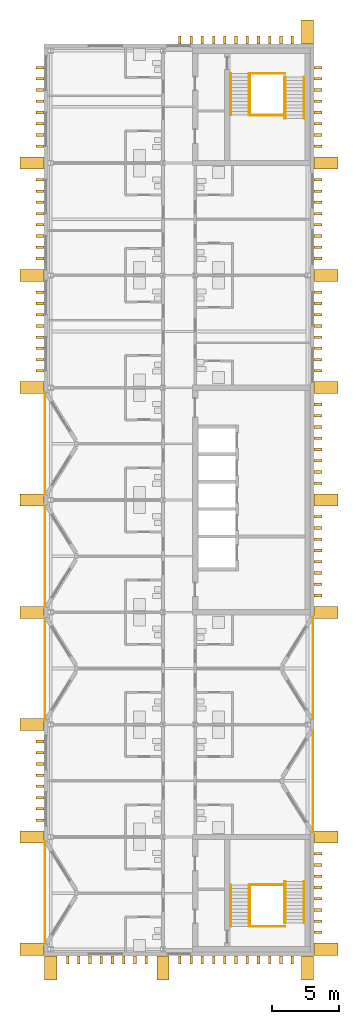
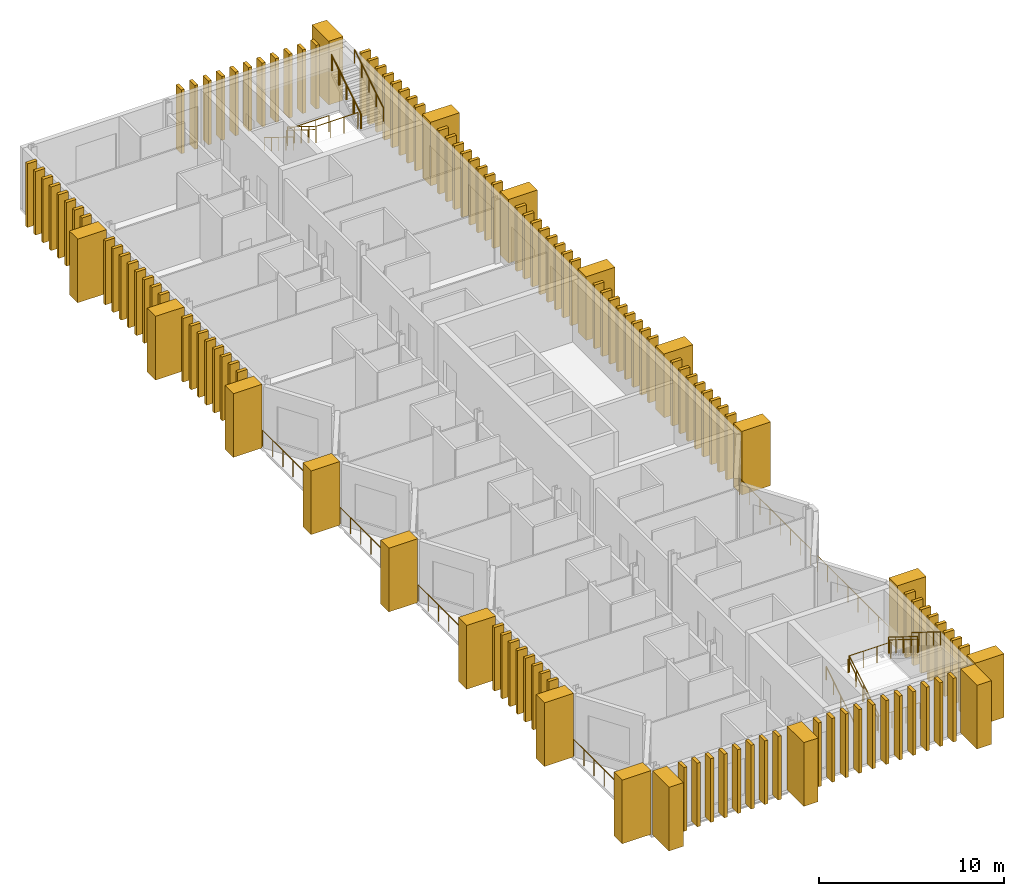
# One storey, part 10 of 11: 129 coverings, 22 railings.
"""IFC4 building model written with IfcOpenShell, lengths in metres."""

import ifcopenshell
import ifcopenshell.guid

model = None  # the IFC model being written
_history = None  # IfcOwnerHistory: only IFC2X3 demands one
_inside = {}  # id of a spatial element -> (the spatial element, [elements in it])
_under = {}  # id of a project, library or spatial element -> (it, [spatial elements below it])
_declared = {}  # id of a project -> (the project, [libraries it declares])
_typed = {}  # id of a type object -> (the type object, [elements of that type])
_made_of = {}  # id of a material, layer set ... -> (it, [elements and type objects made of it])


def new_model(schema):
    """Start an empty IFC model of exactly this schema.

    Asked for "IFC4X3", IfcOpenShell would pick the latest addendum, in which some entities
    have other attributes; the version numbers below select the first issue.
    IFC2X3 requires an IfcOwnerHistory on every rooted entity: one is made here for all.
    """
    global model, _history
    if schema == "IFC4X3":
        model = ifcopenshell.file(schema_version=(4, 3, 0, 0))
    else:
        model = ifcopenshell.file(schema=schema)
    _inside.clear()
    _under.clear()
    _declared.clear()
    _typed.clear()
    _made_of.clear()
    _history = None
    if model.schema == "IFC2X3":
        org = make("IfcOrganization", Name="unknown")
        user = make(
            "IfcPersonAndOrganization",
            ThePerson=make("IfcPerson", FamilyName="unknown"),
            TheOrganization=org,
        )
        app = make(
            "IfcApplication",
            ApplicationDeveloper=org,
            Version="unknown",
            ApplicationFullName="unknown",
            ApplicationIdentifier="unknown",
        )
        _history = make(
            "IfcOwnerHistory",
            OwningUser=user,
            OwningApplication=app,
            ChangeAction="ADDED",
            CreationDate=0,
        )
    return model


def make(cls, **values):
    """One entity of the class cls with the attributes given. An attribute that is None is left unset."""
    return model.create_entity(
        cls, **{name: value for name, value in values.items() if value is not None}
    )


def rooted(cls, **values):
    """An entity with a GlobalId (a new one), such as an element, a storey or a relation."""
    return make(cls, GlobalId=ifcopenshell.guid.new(), OwnerHistory=_history, **values)


def si_unit(unit_type, name, prefix=None):
    """IfcSIUnit, for example si_unit("LENGTHUNIT", "METRE", prefix="MILLI")."""
    return make("IfcSIUnit", UnitType=unit_type, Prefix=prefix, Name=name)


def assignment(units):
    """IfcUnitAssignment: the units of a project."""
    return None if units is None else make("IfcUnitAssignment", Units=units)


def point(xyz):
    """IfcCartesianPoint."""
    return None if xyz is None else make("IfcCartesianPoint", Coordinates=xyz)


def direction(xyz):
    """IfcDirection."""
    return None if xyz is None else make("IfcDirection", DirectionRatios=xyz)


def frame(location, z_axis=None, x_axis=None):
    """IfcAxis2Placement3D, a coordinate frame: its origin and axes. An axis left out is left unset."""
    return make(
        "IfcAxis2Placement3D",
        Location=point(location),
        Axis=direction(z_axis),
        RefDirection=direction(x_axis),
    )


def frame_2d(location, x_axis=None):
    """IfcAxis2Placement2D, a coordinate frame in the plane: its origin and x axis."""
    return make(
        "IfcAxis2Placement2D", Location=point(location), RefDirection=direction(x_axis)
    )


def origin():
    """The frame at (0, 0, 0) with its axes left unset."""
    return frame((0.0, 0.0, 0.0))


def origin_2d():
    """The frame at (0, 0) in the plane with its x axis left unset."""
    return frame_2d((0.0, 0.0))


def place(relative_to, where):
    """IfcLocalPlacement: puts the frame where relative to a parent placement (None: the world)."""
    return make(
        "IfcLocalPlacement", PlacementRelTo=relative_to, RelativePlacement=where
    )


def context(
    kind, dimensions, precision=None, world=None, true_north=None, identifier=None
):
    """IfcGeometricRepresentationContext, for example the 3D "Model" context."""
    return make(
        "IfcGeometricRepresentationContext",
        ContextIdentifier=identifier,
        ContextType=kind,
        CoordinateSpaceDimension=dimensions,
        Precision=precision,
        WorldCoordinateSystem=world,
        TrueNorth=true_north,
    )


def subcontext(parent, identifier, kind, view, scale=None):
    """IfcGeometricRepresentationSubContext, for example "Body" below "Model"."""
    return make(
        "IfcGeometricRepresentationSubContext",
        ContextIdentifier=identifier,
        ContextType=kind,
        ParentContext=parent,
        TargetScale=scale,
        TargetView=view,
    )


def project(units=None, contexts=None):
    """IfcProject with its units and contexts."""
    return rooted(
        "IfcProject",
        Name="project",
        RepresentationContexts=contexts,
        UnitsInContext=assignment(units),
    )


def spatial(cls, under=None, at=None, **own):
    """A site, building, storey or space (cls), placed at a placement, below another one or the project."""
    s = rooted(cls, ObjectPlacement=at, **own)
    if under is not None:
        _under.setdefault(under.id(), (under, []))[1].append(s)
    return s


def profile(cls, at=None, kind="AREA", **sizes):
    """A parametric profile (cls). Its sizes go by their IFC names, for example OverallWidth=200.0."""
    return make(cls, ProfileType=kind, Position=at, **sizes)


def rectangle(**sizes):
    """IfcRectangleProfileDef."""
    return profile("IfcRectangleProfileDef", **sizes)


def circle(**sizes):
    """IfcCircleProfileDef."""
    return profile("IfcCircleProfileDef", **sizes)


def extrude(swept, where, along, depth):
    """IfcExtrudedAreaSolid: the profile swept, set in the frame where, extruded along a direction by depth."""
    return make(
        "IfcExtrudedAreaSolid",
        SweptArea=swept,
        Position=where,
        ExtrudedDirection=direction(along),
        Depth=depth,
    )


def shape(context_of_items, identifier, shape_type, items):
    """IfcShapeRepresentation: the items that make up one representation, for example the "Body"."""
    return make(
        "IfcShapeRepresentation",
        ContextOfItems=context_of_items,
        RepresentationIdentifier=identifier,
        RepresentationType=shape_type,
        Items=items,
    )


def material(Name=None, Category=None):
    """IfcMaterial."""
    return make("IfcMaterial", Name=Name, Category=Category)


def made_of(thing, what):
    """Note that an element or type object is made of a material, layer set ...; save() writes the relation."""
    if what is not None:
        _made_of.setdefault(what.id(), (what, []))[1].append(thing)
    return thing


def type_object(cls, material=None, **own):
    """A type object (cls), such as IfcWallType, which elements share."""
    return made_of(rooted(cls, **own), material)


def element(
    cls,
    number,
    at=None,
    inside=None,
    cuts=None,
    type_object=None,
    material=None,
    context=None,
    identifier="Body",
    shape_type=None,
    held_by="IfcProductDefinitionShape",
    body=None,
    shapes=None,
    **own,
):
    """One element of the class cls, such as IfcWall. Its Tag is "e" and its number.

    at: its placement. inside: the storey or other place that contains it. cuts: it is an
    opening in that element (IfcRelVoidsElement). A single representation is given by context,
    identifier, shape_type and body (its items); several are given by shapes. held_by: the class
    of the entity that holds the representations. save() writes the other relations.
    """
    e = rooted(cls, Tag="e%d" % number, ObjectPlacement=at, **own)
    if body is not None:
        shapes = [shape(context, identifier, shape_type, body)]
    if shapes is not None:
        e.Representation = make(held_by, Representations=shapes)
    if inside is not None:
        _inside.setdefault(inside.id(), (inside, []))[1].append(e)
    if cuts is not None:
        rooted(
            "IfcRelVoidsElement", RelatingBuildingElement=cuts, RelatedOpeningElement=e
        )
    if type_object is not None:
        _typed.setdefault(type_object.id(), (type_object, []))[1].append(e)
    return made_of(e, material)


def aggregate(whole, parts):
    """IfcRelAggregates: a whole, such as a stair, and the parts it consists of."""
    return rooted("IfcRelAggregates", RelatingObject=whole, RelatedObjects=parts)


def save(model, path):
    """Write the relations noted so far, then the file.

    IfcRelAggregates (storeys below a building ...), IfcRelContainedInSpatialStructure (elements
    in a storey), IfcRelDefinesByType, IfcRelAssociatesMaterial and IfcRelDeclares: one each for
    every whole, place, type object, material and project.
    """
    for whole, parts in _under.values():
        aggregate(whole, parts)
    for where, things in _inside.values():
        rooted(
            "IfcRelContainedInSpatialStructure",
            RelatedElements=things,
            RelatingStructure=where,
        )
    for kind, things in _typed.values():
        rooted("IfcRelDefinesByType", RelatedObjects=things, RelatingType=kind)
    for what, things in _made_of.values():
        rooted("IfcRelAssociatesMaterial", RelatedObjects=things, RelatingMaterial=what)
    for by, libraries in _declared.values():
        rooted("IfcRelDeclares", RelatingContext=by, RelatedDefinitions=libraries)
    model.write(path)


model = new_model("IFC4")

# Units and contexts
model_context = context("Model", 3, precision=1e-05, world=origin(), true_north=direction((0.0, 1.0)))
body_context = subcontext(model_context, "Body", "Model", "MODEL_VIEW")
ifc_project = project(units=[si_unit("LENGTHUNIT", "METRE"), si_unit("AREAUNIT", "SQUARE_METRE"), si_unit("VOLUMEUNIT", "CUBIC_METRE"), si_unit("PLANEANGLEUNIT", "RADIAN"), si_unit("MASSUNIT", "GRAM", prefix="KILO")], contexts=[model_context])

# Site, building, storey
site_placement = place(None, origin())
site = spatial("IfcSite", under=ifc_project, at=site_placement, CompositionType="ELEMENT")
building_placement = place(site_placement, origin())
building = spatial("IfcBuilding", under=site, at=building_placement, Name="Cresset Court Congress Hotel", CompositionType="ELEMENT")
storey_placement = place(building_placement, frame((0.0, 0.0, 48.0)))
storey = spatial("IfcBuildingStorey", under=building, at=storey_placement, Name="L11", CompositionType="ELEMENT", Elevation=48.0)

# Coverings
ifc_material_1 = material(Name="Precast concrete C50", Category="concrete")
covering_type_1 = type_object("IfcCoveringType", Name="Precast stone fin 200x600", PredefinedType="CLADDING", material=ifc_material_1)
for number, where, z_axis, x_axis, name in (
    (1, (177.199951171875, 1.260009765625, 0.0), (0.0, 0.0, 1.0), (1.0, 0.0, 0.0), "Fin E002"),
    (2, (177.199951171875, 2.10009765625, 0.0), (0.0, 0.0, 1.0), (1.0, 0.0, 0.0), "Fin E003"),
    (3, (177.199951171875, 2.93994140625, 0.0), (0.0, 0.0, 1.0), (1.0, 0.0, 0.0), "Fin E004"),
    (4, (177.199951171875, 3.780029296875, 0.0), (0.0, 0.0, 1.0), (1.0, 0.0, 0.0), "Fin E005"),
    (5, (177.199951171875, 4.6201171875, 0.0), (0.0, 0.0, 1.0), (1.0, 0.0, 0.0), "Fin E006"),
    (6, (177.199951171875, 5.4599609375, 0.0), (0.0, 0.0, 1.0), (1.0, 0.0, 0.0), "Fin E007"),
    (7, (177.199951171875, 6.300048828125, 0.0), (0.0, 0.0, 1.0), (1.0, 0.0, 0.0), "Fin E008"),
    (8, (177.199951171875, 7.139892578125, 0.0), (0.0, 0.0, 1.0), (1.0, 0.0, 0.0), "Fin E009"),
    (9, (177.199951171875, 26.4599609375, 0.0), (0.0, 0.0, 1.0), (1.0, 0.0, 0.0), "Fin E032"),
    (10, (177.199951171875, 27.300048828125, 0.0), (0.0, 0.0, 1.0), (1.0, 0.0, 0.0), "Fin E033"),
    (11, (177.199951171875, 28.139892578125, 0.0), (0.0, 0.0, 1.0), (1.0, 0.0, 0.0), "Fin E034"),
    (12, (177.199951171875, 28.97998046875, 0.0), (0.0, 0.0, 1.0), (1.0, 0.0, 0.0), "Fin E035"),
    (13, (177.199951171875, 29.820068359375, 0.0), (0.0, 0.0, 1.0), (1.0, 0.0, 0.0), "Fin E036"),
    (14, (177.199951171875, 30.659912109375, 0.0), (0.0, 0.0, 1.0), (1.0, 0.0, 0.0), "Fin E037"),
    (15, (177.199951171875, 31.5, 0.0), (0.0, 0.0, 1.0), (1.0, 0.0, 0.0), "Fin E038"),
    (16, (177.199951171875, 32.340087890625, 0.0), (0.0, 0.0, 1.0), (1.0, 0.0, 0.0), "Fin E039"),
    (17, (177.199951171875, 34.860107421875, 0.0), (0.0, 0.0, 1.0), (1.0, 0.0, 0.0), "Fin E042"),
    (18, (177.199951171875, 35.699951171875, 0.0), (0.0, 0.0, 1.0), (1.0, 0.0, 0.0), "Fin E043"),
    (19, (177.199951171875, 36.5400390625, 0.0), (0.0, 0.0, 1.0), (1.0, 0.0, 0.0), "Fin E044"),
    (20, (177.199951171875, 37.3798828125, 0.0), (0.0, 0.0, 1.0), (1.0, 0.0, 0.0), "Fin E045"),
    (21, (177.199951171875, 38.219970703125, 0.0), (0.0, 0.0, 1.0), (1.0, 0.0, 0.0), "Fin E046"),
    (22, (177.199951171875, 39.06005859375, 0.0), (0.0, 0.0, 1.0), (1.0, 0.0, 0.0), "Fin E047"),
    (23, (177.199951171875, 39.89990234375, 0.0), (0.0, 0.0, 1.0), (1.0, 0.0, 0.0), "Fin E048"),
    (24, (177.199951171875, 40.739990234375, 0.0), (0.0, 0.0, 1.0), (1.0, 0.0, 0.0), "Fin E049"),
    (25, (177.199951171875, 43.260009765625, 0.0), (0.0, 0.0, 1.0), (1.0, 0.0, 0.0), "Fin E052"),
    (26, (177.199951171875, 44.10009765625, 0.0), (0.0, 0.0, 1.0), (1.0, 0.0, 0.0), "Fin E053"),
    (27, (177.199951171875, 44.93994140625, 0.0), (0.0, 0.0, 1.0), (1.0, 0.0, 0.0), "Fin E054"),
    (28, (177.199951171875, 45.780029296875, 0.0), (0.0, 0.0, 1.0), (1.0, 0.0, 0.0), "Fin E055"),
    (29, (177.199951171875, 46.6201171875, 0.0), (0.0, 0.0, 1.0), (1.0, 0.0, 0.0), "Fin E056"),
    (30, (177.199951171875, 47.4599609375, 0.0), (0.0, 0.0, 1.0), (1.0, 0.0, 0.0), "Fin E057"),
    (31, (177.199951171875, 48.300048828125, 0.0), (0.0, 0.0, 1.0), (1.0, 0.0, 0.0), "Fin E058"),
    (32, (177.199951171875, 49.139892578125, 0.0), (0.0, 0.0, 1.0), (1.0, 0.0, 0.0), "Fin E059"),
    (33, (177.199951171875, 51.659912109375, 0.0), (0.0, 0.0, 1.0), (1.0, 0.0, 0.0), "Fin E062"),
    (34, (177.199951171875, 52.5, 0.0), (0.0, 0.0, 1.0), (1.0, 0.0, 0.0), "Fin E063"),
    (35, (177.199951171875, 53.340087890625, 0.0), (0.0, 0.0, 1.0), (1.0, 0.0, 0.0), "Fin E064"),
    (36, (177.199951171875, 54.179931640625, 0.0), (0.0, 0.0, 1.0), (1.0, 0.0, 0.0), "Fin E065"),
    (37, (177.199951171875, 55.02001953125, 0.0), (0.0, 0.0, 1.0), (1.0, 0.0, 0.0), "Fin E066"),
    (38, (177.199951171875, 55.860107421875, 0.0), (0.0, 0.0, 1.0), (1.0, 0.0, 0.0), "Fin E067"),
    (39, (177.199951171875, 56.699951171875, 0.0), (0.0, 0.0, 1.0), (1.0, 0.0, 0.0), "Fin E068"),
    (40, (177.199951171875, 57.5400390625, 0.0), (0.0, 0.0, 1.0), (1.0, 0.0, 0.0), "Fin E069"),
    (41, (177.199951171875, 60.06005859375, 0.0), (0.0, 0.0, 1.0), (1.0, 0.0, 0.0), "Fin E072"),
    (42, (177.199951171875, 60.89990234375, 0.0), (0.0, 0.0, 1.0), (1.0, 0.0, 0.0), "Fin E073"),
    (43, (177.199951171875, 61.739990234375, 0.0), (0.0, 0.0, 1.0), (1.0, 0.0, 0.0), "Fin E074"),
    (44, (177.199951171875, 62.580078125, 0.0), (0.0, 0.0, 1.0), (1.0, 0.0, 0.0), "Fin E075"),
    (45, (177.199951171875, 63.419921875, 0.0), (0.0, 0.0, 1.0), (1.0, 0.0, 0.0), "Fin E076"),
    (46, (177.199951171875, 64.260009765625, 0.0), (0.0, 0.0, 1.0), (1.0, 0.0, 0.0), "Fin E077"),
    (47, (177.199951171875, 65.10009765625, 0.0), (0.0, 0.0, 1.0), (1.0, 0.0, 0.0), "Fin E078"),
    (48, (177.199951171875, 65.93994140625, 0.0), (0.0, 0.0, 1.0), (1.0, 0.0, 0.0), "Fin E079"),
    (49, (156.39990234375, 9.659912109375, 0.0), (0.0, 0.0, 1.0), (1.0, 0.0, 0.0), "Fin W012"),
    (50, (156.39990234375, 10.5, 0.0), (0.0, 0.0, 1.0), (1.0, 0.0, 0.0), "Fin W013"),
    (51, (156.39990234375, 11.340087890625, 0.0), (0.0, 0.0, 1.0), (1.0, 0.0, 0.0), "Fin W014"),
    (52, (156.39990234375, 12.179931640625, 0.0), (0.0, 0.0, 1.0), (1.0, 0.0, 0.0), "Fin W015"),
    (53, (156.39990234375, 13.02001953125, 0.0), (0.0, 0.0, 1.0), (1.0, 0.0, 0.0), "Fin W016"),
    (54, (156.39990234375, 13.860107421875, 0.0), (0.0, 0.0, 1.0), (1.0, 0.0, 0.0), "Fin W017"),
    (55, (156.39990234375, 14.699951171875, 0.0), (0.0, 0.0, 1.0), (1.0, 0.0, 0.0), "Fin W018"),
    (56, (156.39990234375, 15.5400390625, 0.0), (0.0, 0.0, 1.0), (1.0, 0.0, 0.0), "Fin W019"),
    (57, (156.39990234375, 43.260009765625, 0.0), (0.0, 0.0, 1.0), (1.0, 0.0, 0.0), "Fin W052"),
    (58, (156.39990234375, 44.10009765625, 0.0), (0.0, 0.0, 1.0), (1.0, 0.0, 0.0), "Fin W053"),
    (59, (156.39990234375, 44.93994140625, 0.0), (0.0, 0.0, 1.0), (1.0, 0.0, 0.0), "Fin W054"),
    (60, (156.39990234375, 45.780029296875, 0.0), (0.0, 0.0, 1.0), (1.0, 0.0, 0.0), "Fin W055"),
    (61, (156.39990234375, 46.6201171875, 0.0), (0.0, 0.0, 1.0), (1.0, 0.0, 0.0), "Fin W056"),
    (62, (156.39990234375, 47.4599609375, 0.0), (0.0, 0.0, 1.0), (1.0, 0.0, 0.0), "Fin W057"),
    (63, (156.39990234375, 48.300048828125, 0.0), (0.0, 0.0, 1.0), (1.0, 0.0, 0.0), "Fin W058"),
    (64, (156.39990234375, 49.139892578125, 0.0), (0.0, 0.0, 1.0), (1.0, 0.0, 0.0), "Fin W059"),
    (65, (156.39990234375, 51.659912109375, 0.0), (0.0, 0.0, 1.0), (1.0, 0.0, 0.0), "Fin W062"),
    (66, (156.39990234375, 52.5, 0.0), (0.0, 0.0, 1.0), (1.0, 0.0, 0.0), "Fin W063"),
    (67, (156.39990234375, 53.340087890625, 0.0), (0.0, 0.0, 1.0), (1.0, 0.0, 0.0), "Fin W064"),
    (68, (156.39990234375, 54.179931640625, 0.0), (0.0, 0.0, 1.0), (1.0, 0.0, 0.0), "Fin W065"),
    (69, (156.39990234375, 55.02001953125, 0.0), (0.0, 0.0, 1.0), (1.0, 0.0, 0.0), "Fin W066"),
    (70, (156.39990234375, 55.860107421875, 0.0), (0.0, 0.0, 1.0), (1.0, 0.0, 0.0), "Fin W067"),
    (71, (156.39990234375, 56.699951171875, 0.0), (0.0, 0.0, 1.0), (1.0, 0.0, 0.0), "Fin W068"),
    (72, (156.39990234375, 57.5400390625, 0.0), (0.0, 0.0, 1.0), (1.0, 0.0, 0.0), "Fin W069"),
    (73, (156.39990234375, 60.06005859375, 0.0), (0.0, 0.0, 1.0), (1.0, 0.0, 0.0), "Fin W072"),
    (74, (156.39990234375, 60.89990234375, 0.0), (0.0, 0.0, 1.0), (1.0, 0.0, 0.0), "Fin W073"),
    (75, (156.39990234375, 61.739990234375, 0.0), (0.0, 0.0, 1.0), (1.0, 0.0, 0.0), "Fin W074"),
    (76, (156.39990234375, 62.580078125, 0.0), (0.0, 0.0, 1.0), (1.0, 0.0, 0.0), "Fin W075"),
    (77, (156.39990234375, 63.419921875, 0.0), (0.0, 0.0, 1.0), (1.0, 0.0, 0.0), "Fin W076"),
    (78, (156.39990234375, 64.260009765625, 0.0), (0.0, 0.0, 1.0), (1.0, 0.0, 0.0), "Fin W077"),
    (79, (156.39990234375, 65.10009765625, 0.0), (0.0, 0.0, 1.0), (1.0, 0.0, 0.0), "Fin W078"),
    (80, (156.39990234375, 65.93994140625, 0.0), (0.0, 0.0, 1.0), (1.0, 0.0, 0.0), "Fin W079"),
):
    element("IfcCovering", number, at=place(storey_placement, frame(where, z_axis=z_axis, x_axis=x_axis)), inside=storey, type_object=covering_type_1, Name=name, PredefinedType="CLADDING", context=body_context, shape_type="SweptSolid", body=[
        extrude(rectangle(XDim=0.60009765625, YDim=0.199951171875, at=origin_2d()), origin(), (0.0, 0.0, 1.0), 4.199951171875),
    ])
for number, where, z_axis, x_axis, name in (
    (81, (158.4599609375, -0.800048828125, 0.0), (0.0, 0.0, 1.0), (1.0, 0.0, 0.0), "Fin S002"),
    (82, (159.300048828125, -0.800048828125, 0.0), (0.0, 0.0, 1.0), (1.0, 0.0, 0.0), "Fin S003"),
    (83, (160.139892578125, -0.800048828125, 0.0), (0.0, 0.0, 1.0), (1.0, 0.0, 0.0), "Fin S004"),
    (84, (160.97998046875, -0.800048828125, 0.0), (0.0, 0.0, 1.0), (1.0, 0.0, 0.0), "Fin S005"),
    (85, (161.820068359375, -0.800048828125, 0.0), (0.0, 0.0, 1.0), (1.0, 0.0, 0.0), "Fin S006"),
    (86, (162.659912109375, -0.800048828125, 0.0), (0.0, 0.0, 1.0), (1.0, 0.0, 0.0), "Fin S007"),
    (87, (163.5, -0.800048828125, 0.0), (0.0, 0.0, 1.0), (1.0, 0.0, 0.0), "Fin S008"),
    (88, (164.340087890625, -0.800048828125, 0.0), (0.0, 0.0, 1.0), (1.0, 0.0, 0.0), "Fin S009"),
    (89, (166.860107421875, -0.800048828125, 0.0), (0.0, 0.0, 1.0), (1.0, 0.0, 0.0), "Fin S012"),
    (90, (167.699951171875, -0.800048828125, 0.0), (0.0, 0.0, 1.0), (1.0, 0.0, 0.0), "Fin S013"),
    (91, (168.5400390625, -0.800048828125, 0.0), (0.0, 0.0, 1.0), (1.0, 0.0, 0.0), "Fin S014"),
    (92, (169.3798828125, -0.800048828125, 0.0), (0.0, 0.0, 1.0), (1.0, 0.0, 0.0), "Fin S015"),
    (93, (170.219970703125, -0.800048828125, 0.0), (0.0, 0.0, 1.0), (1.0, 0.0, 0.0), "Fin S016"),
    (94, (171.06005859375, -0.800048828125, 0.0), (0.0, 0.0, 1.0), (1.0, 0.0, 0.0), "Fin S017"),
    (95, (171.89990234375, -0.800048828125, 0.0), (0.0, 0.0, 1.0), (1.0, 0.0, 0.0), "Fin S018"),
    (96, (172.739990234375, -0.800048828125, 0.0), (0.0, 0.0, 1.0), (1.0, 0.0, 0.0), "Fin S019"),
    (97, (173.580078125, -0.800048828125, 0.0), (0.0, 0.0, 1.0), (1.0, 0.0, 0.0), "Fin S020"),
    (98, (174.419921875, -0.800048828125, 0.0), (0.0, 0.0, 1.0), (1.0, 0.0, 0.0), "Fin S021"),
    (99, (175.260009765625, -0.800048828125, 0.0), (0.0, 0.0, 1.0), (1.0, 0.0, 0.0), "Fin S022"),
    (100, (166.860107421875, 68.0, 0.0), (0.0, 0.0, 1.0), (1.0, 0.0, 0.0), "Fin N012"),
    (101, (167.699951171875, 68.0, 0.0), (0.0, 0.0, 1.0), (1.0, 0.0, 0.0), "Fin N013"),
    (102, (168.5400390625, 68.0, 0.0), (0.0, 0.0, 1.0), (1.0, 0.0, 0.0), "Fin N014"),
    (103, (169.3798828125, 68.0, 0.0), (0.0, 0.0, 1.0), (1.0, 0.0, 0.0), "Fin N015"),
    (104, (170.219970703125, 68.0, 0.0), (0.0, 0.0, 1.0), (1.0, 0.0, 0.0), "Fin N016"),
    (105, (171.06005859375, 68.0, 0.0), (0.0, 0.0, 1.0), (1.0, 0.0, 0.0), "Fin N017"),
    (106, (171.89990234375, 68.0, 0.0), (0.0, 0.0, 1.0), (1.0, 0.0, 0.0), "Fin N018"),
    (107, (172.739990234375, 68.0, 0.0), (0.0, 0.0, 1.0), (1.0, 0.0, 0.0), "Fin N019"),
    (108, (173.580078125, 68.0, 0.0), (0.0, 0.0, 1.0), (1.0, 0.0, 0.0), "Fin N020"),
    (109, (174.419921875, 68.0, 0.0), (0.0, 0.0, 1.0), (1.0, 0.0, 0.0), "Fin N021"),
    (110, (175.260009765625, 68.0, 0.0), (0.0, 0.0, 1.0), (1.0, 0.0, 0.0), "Fin N022"),
):
    element("IfcCovering", number, at=place(storey_placement, frame(where, z_axis=z_axis, x_axis=x_axis)), inside=storey, type_object=covering_type_1, Name=name, PredefinedType="CLADDING", context=body_context, shape_type="SweptSolid", body=[
        extrude(rectangle(XDim=0.199951171875, YDim=0.60009765625, at=origin_2d()), origin(), (0.0, 0.0, 1.0), 4.199951171875),
    ])
ifc_material_2 = material(Name="Precast concrete C50", Category="concrete")
covering_type_2 = type_object("IfcCoveringType", Name="Precast stone pier 900x1800", PredefinedType="CLADDING", material=ifc_material_2)
for number, where, z_axis, x_axis, name in (
    (111, (177.800048828125, 0.0, 0.0), (0.0, 0.0, 1.0), (1.0, 0.0, 0.0), "Pier E01"),
    (112, (177.800048828125, 8.39990234375, 0.0), (0.0, 0.0, 1.0), (1.0, 0.0, 0.0), "Pier E02"),
    (113, (177.800048828125, 25.199951171875, 0.0), (0.0, 0.0, 1.0), (1.0, 0.0, 0.0), "Pier E03"),
    (114, (177.800048828125, 33.60009765625, 0.0), (0.0, 0.0, 1.0), (1.0, 0.0, 0.0), "Pier E04"),
    (115, (177.800048828125, 42.0, 0.0), (0.0, 0.0, 1.0), (1.0, 0.0, 0.0), "Pier E05"),
    (116, (177.800048828125, 50.39990234375, 0.0), (0.0, 0.0, 1.0), (1.0, 0.0, 0.0), "Pier E06"),
    (117, (177.800048828125, 58.800048828125, 0.0), (0.0, 0.0, 1.0), (1.0, 0.0, 0.0), "Pier E07"),
    (118, (155.800048828125, 0.0, 0.0), (0.0, 0.0, 1.0), (1.0, 0.0, 0.0), "Pier W01"),
    (119, (155.800048828125, 8.39990234375, 0.0), (0.0, 0.0, 1.0), (1.0, 0.0, 0.0), "Pier W02"),
    (120, (155.800048828125, 16.800048828125, 0.0), (0.0, 0.0, 1.0), (1.0, 0.0, 0.0), "Pier W03"),
    (121, (155.800048828125, 25.199951171875, 0.0), (0.0, 0.0, 1.0), (1.0, 0.0, 0.0), "Pier W04"),
    (122, (155.800048828125, 33.60009765625, 0.0), (0.0, 0.0, 1.0), (1.0, 0.0, 0.0), "Pier W05"),
    (123, (155.800048828125, 42.0, 0.0), (0.0, 0.0, 1.0), (1.0, 0.0, 0.0), "Pier W06"),
    (124, (155.800048828125, 50.39990234375, 0.0), (0.0, 0.0, 1.0), (1.0, 0.0, 0.0), "Pier W07"),
    (125, (155.800048828125, 58.800048828125, 0.0), (0.0, 0.0, 1.0), (1.0, 0.0, 0.0), "Pier W08"),
):
    element("IfcCovering", number, at=place(storey_placement, frame(where, z_axis=z_axis, x_axis=x_axis)), inside=storey, type_object=covering_type_2, Name=name, PredefinedType="CLADDING", context=body_context, shape_type="SweptSolid", body=[
        extrude(rectangle(XDim=1.800048828125, YDim=0.89990234375, at=origin_2d()), origin(), (0.0, 0.0, 1.0), 4.199951171875),
    ])
for number, where, z_axis, x_axis, name in (
    (126, (157.199951171875, -1.39990234375, 0.0), (0.0, 0.0, 1.0), (1.0, 0.0, 0.0), "Pier S01"),
    (127, (165.60009765625, -1.39990234375, 0.0), (0.0, 0.0, 1.0), (1.0, 0.0, 0.0), "Pier S02"),
    (128, (176.39990234375, -1.39990234375, 0.0), (0.0, 0.0, 1.0), (1.0, 0.0, 0.0), "Pier S03"),
    (129, (176.39990234375, 68.60009765625, 0.0), (0.0, 0.0, 1.0), (1.0, 0.0, 0.0), "Pier N03"),
):
    element("IfcCovering", number, at=place(storey_placement, frame(where, z_axis=z_axis, x_axis=x_axis)), inside=storey, type_object=covering_type_2, Name=name, PredefinedType="CLADDING", context=body_context, shape_type="SweptSolid", body=[
        extrude(rectangle(XDim=0.89990234375, YDim=1.800048828125, at=origin_2d()), origin(), (0.0, 0.0, 1.0), 4.199951171875),
    ])

# Railings
ifc_material_3 = material(Name="Stainless steel", Category="steel")
railing_type_1 = type_object("IfcRailingType", Name="Slot ledge guard 1100", PredefinedType="GUARDRAIL", material=ifc_material_3)
railing_1_placement = place(storey_placement, frame((156.780029296875, 0.35009765625, 0.0)))
element("IfcRailing", 130, at=railing_1_placement, inside=storey, type_object=railing_type_1, Name="Slot guard W1 L11", PredefinedType="GUARDRAIL", context=body_context, shape_type="SweptSolid", body=[
    extrude(circle(Radius=0.02392578125, at=origin_2d()), frame((0.0, 0.0, 1.076171875), z_axis=(0.0, 1.0, 0.0), x_axis=(-1.0, 0.0, 0.0)), (0.0, 0.0, 1.0), 7.699951171875),
    extrude(circle(Radius=0.02099609375, at=origin_2d()), origin(), (0.0, 0.0, 1.0), 1.052001953125),
    extrude(circle(Radius=0.02099609375, at=origin_2d()), frame((0.0, 1.10009765625, 0.0)), (0.0, 0.0, 1.0), 1.052001953125),
    extrude(circle(Radius=0.02099609375, at=origin_2d()), frame((0.0, 2.199951171875, 0.0)), (0.0, 0.0, 1.0), 1.052001953125),
    extrude(circle(Radius=0.02099609375, at=origin_2d()), frame((0.0, 3.300048828125, 0.0)), (0.0, 0.0, 1.0), 1.052001953125),
    extrude(circle(Radius=0.02099609375, at=origin_2d()), frame((0.0, 4.39990234375, 0.0)), (0.0, 0.0, 1.0), 1.052001953125),
    extrude(circle(Radius=0.02099609375, at=origin_2d()), frame((0.0, 5.5, 0.0)), (0.0, 0.0, 1.0), 1.052001953125),
    extrude(circle(Radius=0.02099609375, at=origin_2d()), frame((0.0, 6.599853515625, 0.0)), (0.0, 0.0, 1.0), 1.052001953125),
    extrude(circle(Radius=0.02099609375, at=origin_2d()), frame((0.0, 7.699951171875, 0.0)), (0.0, 0.0, 1.0), 1.052001953125),
])
railing_2_placement = place(storey_placement, frame((156.780029296875, 17.14990234375, 0.0)))
element("IfcRailing", 131, at=railing_2_placement, inside=storey, type_object=railing_type_1, Name="Slot guard W3 L11", PredefinedType="GUARDRAIL", context=body_context, shape_type="SweptSolid", body=[
    extrude(circle(Radius=0.02392578125, at=origin_2d()), frame((0.0, 0.0, 1.076171875), z_axis=(0.0, 1.0, 0.0), x_axis=(-1.0, 0.0, 0.0)), (0.0, 0.0, 1.0), 7.7001953125),
    extrude(circle(Radius=0.02099609375, at=origin_2d()), origin(), (0.0, 0.0, 1.0), 1.052001953125),
    extrude(circle(Radius=0.02099609375, at=origin_2d()), frame((0.0, 1.10009765625, 0.0)), (0.0, 0.0, 1.0), 1.052001953125),
    extrude(circle(Radius=0.02099609375, at=origin_2d()), frame((0.0, 2.199951171875, 0.0)), (0.0, 0.0, 1.0), 1.052001953125),
    extrude(circle(Radius=0.02099609375, at=origin_2d()), frame((0.0, 3.300048828125, 0.0)), (0.0, 0.0, 1.0), 1.052001953125),
    extrude(circle(Radius=0.02099609375, at=origin_2d()), frame((0.0, 4.400146484375, 0.0)), (0.0, 0.0, 1.0), 1.052001953125),
    extrude(circle(Radius=0.02099609375, at=origin_2d()), frame((0.0, 5.500244140625, 0.0)), (0.0, 0.0, 1.0), 1.052001953125),
    extrude(circle(Radius=0.02099609375, at=origin_2d()), frame((0.0, 6.60009765625, 0.0)), (0.0, 0.0, 1.0), 1.052001953125),
    extrude(circle(Radius=0.02099609375, at=origin_2d()), frame((0.0, 7.7001953125, 0.0)), (0.0, 0.0, 1.0), 1.052001953125),
])
for number, where, name in (
    (132, (156.780029296875, 25.550048828125, 0.0), "Slot guard W4 L11"),
    (133, (156.780029296875, 33.949951171875, 0.0), "Slot guard W5 L11"),
    (134, (176.820068359375, 8.75, 0.0), "Slot guard E2 L11"),
):
    element("IfcRailing", number, at=place(storey_placement, frame(where)), inside=storey, type_object=railing_type_1, Name=name, PredefinedType="GUARDRAIL", context=body_context, shape_type="SweptSolid", body=[
        extrude(circle(Radius=0.02392578125, at=origin_2d()), frame((0.0, 0.0, 1.076171875), z_axis=(0.0, 1.0, 0.0), x_axis=(-1.0, 0.0, 0.0)), (0.0, 0.0, 1.0), 7.699951171875),
        extrude(circle(Radius=0.02099609375, at=origin_2d()), origin(), (0.0, 0.0, 1.0), 1.052001953125),
        extrude(circle(Radius=0.02099609375, at=origin_2d()), frame((0.0, 1.10009765625, 0.0)), (0.0, 0.0, 1.0), 1.052001953125),
        extrude(circle(Radius=0.02099609375, at=origin_2d()), frame((0.0, 2.199951171875, 0.0)), (0.0, 0.0, 1.0), 1.052001953125),
        extrude(circle(Radius=0.02099609375, at=origin_2d()), frame((0.0, 3.300048828125, 0.0)), (0.0, 0.0, 1.0), 1.052001953125),
        extrude(circle(Radius=0.02099609375, at=origin_2d()), frame((0.0, 4.39990234375, 0.0)), (0.0, 0.0, 1.0), 1.052001953125),
        extrude(circle(Radius=0.02099609375, at=origin_2d()), frame((0.0, 5.5, 0.0)), (0.0, 0.0, 1.0), 1.052001953125),
        extrude(circle(Radius=0.02099609375, at=origin_2d()), frame((0.0, 6.599853515625, 0.0)), (0.0, 0.0, 1.0), 1.052001953125),
        extrude(circle(Radius=0.02099609375, at=origin_2d()), frame((0.0, 7.699951171875, 0.0)), (0.0, 0.0, 1.0), 1.052001953125),
    ])
railing_3_placement = place(storey_placement, frame((176.820068359375, 17.14990234375, 0.0)))
element("IfcRailing", 135, at=railing_3_placement, inside=storey, type_object=railing_type_1, Name="Slot guard E3 L11", PredefinedType="GUARDRAIL", context=body_context, shape_type="SweptSolid", body=[
    extrude(circle(Radius=0.02392578125, at=origin_2d()), frame((0.0, 0.0, 1.076171875), z_axis=(0.0, 1.0, 0.0), x_axis=(-1.0, 0.0, 0.0)), (0.0, 0.0, 1.0), 7.7001953125),
    extrude(circle(Radius=0.02099609375, at=origin_2d()), origin(), (0.0, 0.0, 1.0), 1.052001953125),
    extrude(circle(Radius=0.02099609375, at=origin_2d()), frame((0.0, 1.10009765625, 0.0)), (0.0, 0.0, 1.0), 1.052001953125),
    extrude(circle(Radius=0.02099609375, at=origin_2d()), frame((0.0, 2.199951171875, 0.0)), (0.0, 0.0, 1.0), 1.052001953125),
    extrude(circle(Radius=0.02099609375, at=origin_2d()), frame((0.0, 3.300048828125, 0.0)), (0.0, 0.0, 1.0), 1.052001953125),
    extrude(circle(Radius=0.02099609375, at=origin_2d()), frame((0.0, 4.400146484375, 0.0)), (0.0, 0.0, 1.0), 1.052001953125),
    extrude(circle(Radius=0.02099609375, at=origin_2d()), frame((0.0, 5.500244140625, 0.0)), (0.0, 0.0, 1.0), 1.052001953125),
    extrude(circle(Radius=0.02099609375, at=origin_2d()), frame((0.0, 6.60009765625, 0.0)), (0.0, 0.0, 1.0), 1.052001953125),
    extrude(circle(Radius=0.02099609375, at=origin_2d()), frame((0.0, 7.7001953125, 0.0)), (0.0, 0.0, 1.0), 1.052001953125),
])
ifc_material_4 = material(Name="Stainless steel", Category="steel")
railing_type_2 = type_object("IfcRailingType", Name="Stair guard 1100", PredefinedType="GUARDRAIL", material=ifc_material_4)
railing_4_placement = place(storey_placement, frame((172.10009765625, 1.699951171875, 0.16162109375)))
element("IfcRailing", 136, at=railing_4_placement, inside=storey, type_object=railing_type_2, Name="Guard A1 L11", PredefinedType="GUARDRAIL", context=body_context, shape_type="SweptSolid", body=[
    extrude(circle(Radius=0.02392578125, at=origin_2d()), frame((0.0, 0.0, 1.076171875), z_axis=(0.0, 0.849414166554, 0.527726798313), x_axis=(-1.0, 0.0, 0.0)), (0.0, 0.0, 1.0), 3.67333984375),
    extrude(circle(Radius=0.02099609375, at=origin_2d()), origin(), (0.0, 0.0, 1.0), 1.052001953125),
    extrude(circle(Radius=0.02099609375, at=origin_2d()), frame((0.0, 0.780029296875, 0.484619140625)), (0.0, 0.0, 1.0), 1.052001953125),
    extrude(circle(Radius=0.02099609375, at=origin_2d()), frame((0.0, 1.56005859375, 0.96923828125)), (0.0, 0.0, 1.0), 1.052001953125),
    extrude(circle(Radius=0.02099609375, at=origin_2d()), frame((0.0, 2.340087890625, 1.453857421875)), (0.0, 0.0, 1.0), 1.052001953125),
    extrude(circle(Radius=0.02099609375, at=origin_2d()), frame((0.0, 3.1201171875, 1.9384765625)), (0.0, 0.0, 1.0), 1.052001953125),
])
railing_5_placement = place(storey_placement, frame((174.699951171875, 5.080078125, 2.261474609375)))
element("IfcRailing", 137, at=railing_5_placement, inside=storey, type_object=railing_type_2, Name="Guard A1 L11", PredefinedType="GUARDRAIL", context=body_context, shape_type="SweptSolid", body=[
    extrude(circle(Radius=0.02392578125, at=origin_2d()), frame((0.0, 0.0, 1.076171875), z_axis=(0.0, -0.849414166554, 0.527726798313), x_axis=(1.0, 0.0, 0.0)), (0.0, 0.0, 1.0), 3.67333984375),
    extrude(circle(Radius=0.02099609375, at=origin_2d()), origin(), (0.0, 0.0, 1.0), 1.052001953125),
    extrude(circle(Radius=0.02099609375, at=origin_2d()), frame((0.0, -0.780029296875, 0.484619140625)), (0.0, 0.0, 1.0), 1.052001953125),
    extrude(circle(Radius=0.02099609375, at=origin_2d()), frame((0.0, -1.56005859375, 0.96923828125)), (0.0, 0.0, 1.0), 1.052001953125),
    extrude(circle(Radius=0.02099609375, at=origin_2d()), frame((0.0, -2.340087890625, 1.453857421875)), (0.0, 0.0, 1.0), 1.052001953125),
    extrude(circle(Radius=0.02099609375, at=origin_2d()), frame((0.0, -3.1201171875, 1.9384765625)), (0.0, 0.0, 1.0), 1.052001953125),
])
for number, where, name in (
    (138, (172.10009765625, 1.699951171875, 0.0), "Guard A1 L11"),
    (139, (172.10009765625, 4.820068359375, 2.10009765625), "Guard A1 L11"),
):
    element("IfcRailing", number, at=place(storey_placement, frame(where)), inside=storey, type_object=railing_type_2, Name=name, PredefinedType="GUARDRAIL", context=body_context, shape_type="SweptSolid", body=[
        extrude(circle(Radius=0.02392578125, at=origin_2d()), frame((0.0, 0.0, 1.076171875), z_axis=(1.0, 0.0, 0.0), x_axis=(0.0, 1.0, 0.0)), (0.0, 0.0, 1.0), 2.599853515625),
        extrude(circle(Radius=0.02099609375, at=origin_2d()), origin(), (0.0, 0.0, 1.0), 1.052001953125),
        extrude(circle(Radius=0.02099609375, at=origin_2d()), frame((0.86669921875, 0.0, 0.0)), (0.0, 0.0, 1.0), 1.052001953125),
        extrude(circle(Radius=0.02099609375, at=origin_2d()), frame((1.733154296875, 0.0, 0.0)), (0.0, 0.0, 1.0), 1.052001953125),
        extrude(circle(Radius=0.02099609375, at=origin_2d()), frame((2.599853515625, 0.0, 0.0)), (0.0, 0.0, 1.0), 1.052001953125),
    ])
railing_6_placement = place(storey_placement, frame((172.10009765625, 65.5, 0.16162109375)))
element("IfcRailing", 140, at=railing_6_placement, inside=storey, type_object=railing_type_2, Name="Guard A2 L11", PredefinedType="GUARDRAIL", context=body_context, shape_type="SweptSolid", body=[
    extrude(circle(Radius=0.02392578125, at=origin_2d()), frame((0.0, 0.0, 1.076171875), z_axis=(0.0, -0.849414166554, 0.527726798313), x_axis=(1.0, 0.0, 0.0)), (0.0, 0.0, 1.0), 3.67333984375),
    extrude(circle(Radius=0.02099609375, at=origin_2d()), origin(), (0.0, 0.0, 1.0), 1.052001953125),
    extrude(circle(Radius=0.02099609375, at=origin_2d()), frame((0.0, -0.780029296875, 0.484619140625)), (0.0, 0.0, 1.0), 1.052001953125),
    extrude(circle(Radius=0.02099609375, at=origin_2d()), frame((0.0, -1.56005859375, 0.96923828125)), (0.0, 0.0, 1.0), 1.052001953125),
    extrude(circle(Radius=0.02099609375, at=origin_2d()), frame((0.0, -2.340087890625, 1.453857421875)), (0.0, 0.0, 1.0), 1.052001953125),
    extrude(circle(Radius=0.02099609375, at=origin_2d()), frame((0.0, -3.1201171875, 1.9384765625)), (0.0, 0.0, 1.0), 1.052001953125),
])
railing_7_placement = place(storey_placement, frame((174.699951171875, 62.1201171875, 2.261474609375)))
element("IfcRailing", 141, at=railing_7_placement, inside=storey, type_object=railing_type_2, Name="Guard A2 L11", PredefinedType="GUARDRAIL", context=body_context, shape_type="SweptSolid", body=[
    extrude(circle(Radius=0.02392578125, at=origin_2d()), frame((0.0, 0.0, 1.076171875), z_axis=(0.0, 0.849395654964, 0.52775659288), x_axis=(-1.0, 0.0, 0.0)), (0.0, 0.0, 1.0), 3.673095703125),
    extrude(circle(Radius=0.02099609375, at=origin_2d()), origin(), (0.0, 0.0, 1.0), 1.052001953125),
    extrude(circle(Radius=0.02099609375, at=origin_2d()), frame((0.0, 0.780029296875, 0.484619140625)), (0.0, 0.0, 1.0), 1.052001953125),
    extrude(circle(Radius=0.02099609375, at=origin_2d()), frame((0.0, 1.56005859375, 0.96923828125)), (0.0, 0.0, 1.0), 1.052001953125),
    extrude(circle(Radius=0.02099609375, at=origin_2d()), frame((0.0, 2.33984375, 1.453857421875)), (0.0, 0.0, 1.0), 1.052001953125),
    extrude(circle(Radius=0.02099609375, at=origin_2d()), frame((0.0, 3.119873046875, 1.9384765625)), (0.0, 0.0, 1.0), 1.052001953125),
])
for number, where, name in (
    (142, (172.10009765625, 65.5, 0.0), "Guard A2 L11"),
    (143, (172.10009765625, 62.3798828125, 2.10009765625), "Guard A2 L11"),
):
    element("IfcRailing", number, at=place(storey_placement, frame(where)), inside=storey, type_object=railing_type_2, Name=name, PredefinedType="GUARDRAIL", context=body_context, shape_type="SweptSolid", body=[
        extrude(circle(Radius=0.02392578125, at=origin_2d()), frame((0.0, 0.0, 1.076171875), z_axis=(1.0, 0.0, 0.0), x_axis=(0.0, 1.0, 0.0)), (0.0, 0.0, 1.0), 2.599853515625),
        extrude(circle(Radius=0.02099609375, at=origin_2d()), origin(), (0.0, 0.0, 1.0), 1.052001953125),
        extrude(circle(Radius=0.02099609375, at=origin_2d()), frame((0.86669921875, 0.0, 0.0)), (0.0, 0.0, 1.0), 1.052001953125),
        extrude(circle(Radius=0.02099609375, at=origin_2d()), frame((1.733154296875, 0.0, 0.0)), (0.0, 0.0, 1.0), 1.052001953125),
        extrude(circle(Radius=0.02099609375, at=origin_2d()), frame((2.599853515625, 0.0, 0.0)), (0.0, 0.0, 1.0), 1.052001953125),
    ])
ifc_material_5 = material(Name="Stainless steel", Category="steel")
railing_type_3 = type_object("IfcRailingType", Name="Stair handrail 900", PredefinedType="HANDRAIL", material=ifc_material_5)
for number, where, name in (
    (144, (170.659912109375, 1.699951171875, 0.16162109375), "Handrail A1 L11"),
    (145, (172.0400390625, 1.699951171875, 0.16162109375), "Handrail A1 L11"),
):
    element("IfcRailing", number, at=place(storey_placement, frame(where)), inside=storey, type_object=railing_type_3, Name=name, PredefinedType="HANDRAIL", context=body_context, shape_type="SweptSolid", body=[
        extrude(circle(Radius=0.02392578125, at=origin_2d()), frame((0.0, 0.0, 0.8759765625), z_axis=(0.0, 0.849414166554, 0.527726798313), x_axis=(-1.0, 0.0, 0.0)), (0.0, 0.0, 1.0), 3.67333984375),
        extrude(circle(Radius=0.02099609375, at=origin_2d()), origin(), (0.0, 0.0, 1.0), 0.851806640625),
        extrude(circle(Radius=0.02099609375, at=origin_2d()), frame((0.0, 0.780029296875, 0.484619140625)), (0.0, 0.0, 1.0), 0.851806640625),
        extrude(circle(Radius=0.02099609375, at=origin_2d()), frame((0.0, 1.56005859375, 0.96923828125)), (0.0, 0.0, 1.0), 0.851806640625),
        extrude(circle(Radius=0.02099609375, at=origin_2d()), frame((0.0, 2.340087890625, 1.453857421875)), (0.0, 0.0, 1.0), 0.851806640625),
        extrude(circle(Radius=0.02099609375, at=origin_2d()), frame((0.0, 3.1201171875, 1.9384765625)), (0.0, 0.0, 1.0), 0.851806640625),
    ])
for number, where, name in (
    (146, (174.760009765625, 5.080078125, 2.261474609375), "Handrail A1 L11"),
    (147, (176.139892578125, 5.080078125, 2.261474609375), "Handrail A1 L11"),
    (148, (170.659912109375, 65.5, 0.16162109375), "Handrail A2 L11"),
    (149, (172.0400390625, 65.5, 0.16162109375), "Handrail A2 L11"),
):
    element("IfcRailing", number, at=place(storey_placement, frame(where)), inside=storey, type_object=railing_type_3, Name=name, PredefinedType="HANDRAIL", context=body_context, shape_type="SweptSolid", body=[
        extrude(circle(Radius=0.02392578125, at=origin_2d()), frame((0.0, 0.0, 0.8759765625), z_axis=(0.0, -0.849414166554, 0.527726798313), x_axis=(1.0, 0.0, 0.0)), (0.0, 0.0, 1.0), 3.67333984375),
        extrude(circle(Radius=0.02099609375, at=origin_2d()), origin(), (0.0, 0.0, 1.0), 0.851806640625),
        extrude(circle(Radius=0.02099609375, at=origin_2d()), frame((0.0, -0.780029296875, 0.484619140625)), (0.0, 0.0, 1.0), 0.851806640625),
        extrude(circle(Radius=0.02099609375, at=origin_2d()), frame((0.0, -1.56005859375, 0.96923828125)), (0.0, 0.0, 1.0), 0.851806640625),
        extrude(circle(Radius=0.02099609375, at=origin_2d()), frame((0.0, -2.340087890625, 1.453857421875)), (0.0, 0.0, 1.0), 0.851806640625),
        extrude(circle(Radius=0.02099609375, at=origin_2d()), frame((0.0, -3.1201171875, 1.9384765625)), (0.0, 0.0, 1.0), 0.851806640625),
    ])
for number, where, name in (
    (150, (174.760009765625, 62.1201171875, 2.261474609375), "Handrail A2 L11"),
    (151, (176.139892578125, 62.1201171875, 2.261474609375), "Handrail A2 L11"),
):
    element("IfcRailing", number, at=place(storey_placement, frame(where)), inside=storey, type_object=railing_type_3, Name=name, PredefinedType="HANDRAIL", context=body_context, shape_type="SweptSolid", body=[
        extrude(circle(Radius=0.02392578125, at=origin_2d()), frame((0.0, 0.0, 0.8759765625), z_axis=(0.0, 0.849395654964, 0.52775659288), x_axis=(-1.0, 0.0, 0.0)), (0.0, 0.0, 1.0), 3.673095703125),
        extrude(circle(Radius=0.02099609375, at=origin_2d()), origin(), (0.0, 0.0, 1.0), 0.851806640625),
        extrude(circle(Radius=0.02099609375, at=origin_2d()), frame((0.0, 0.780029296875, 0.484619140625)), (0.0, 0.0, 1.0), 0.851806640625),
        extrude(circle(Radius=0.02099609375, at=origin_2d()), frame((0.0, 1.56005859375, 0.96923828125)), (0.0, 0.0, 1.0), 0.851806640625),
        extrude(circle(Radius=0.02099609375, at=origin_2d()), frame((0.0, 2.33984375, 1.453857421875)), (0.0, 0.0, 1.0), 0.851806640625),
        extrude(circle(Radius=0.02099609375, at=origin_2d()), frame((0.0, 3.119873046875, 1.9384765625)), (0.0, 0.0, 1.0), 0.851806640625),
    ])

save(model, "model.ifc")
